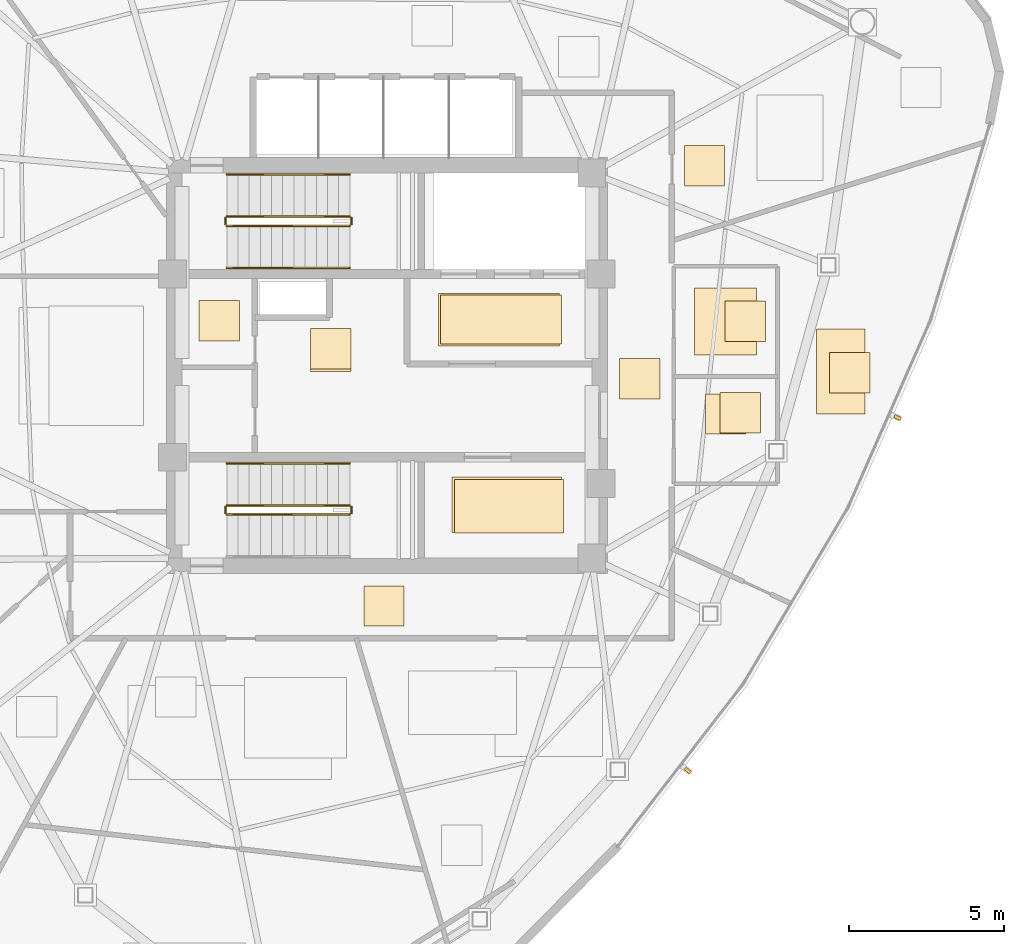
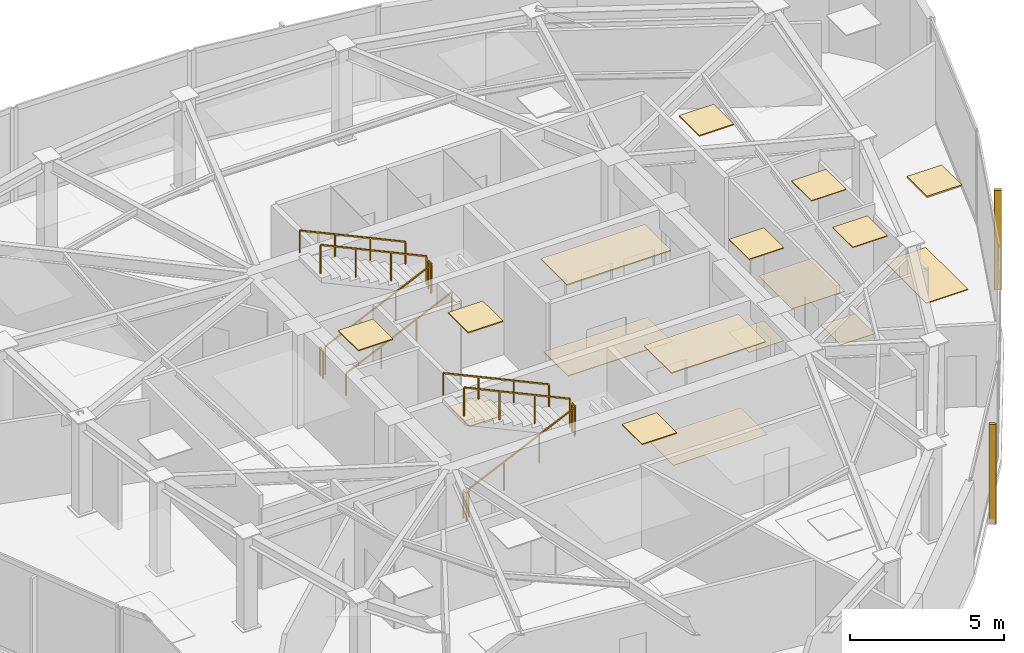
# One storey, part 11 of 12: 17 coverings, 11 railings, 2 shading devices.
"""IFC4 building model written with IfcOpenShell, lengths in metres."""

import ifcopenshell
import ifcopenshell.guid

model = None  # the IFC model being written
_history = None  # IfcOwnerHistory: only IFC2X3 demands one
_inside = {}  # id of a spatial element -> (the spatial element, [elements in it])
_under = {}  # id of a project, library or spatial element -> (it, [spatial elements below it])
_declared = {}  # id of a project -> (the project, [libraries it declares])
_typed = {}  # id of a type object -> (the type object, [elements of that type])
_made_of = {}  # id of a material, layer set ... -> (it, [elements and type objects made of it])


def new_model(schema):
    """Start an empty IFC model of exactly this schema.

    Asked for "IFC4X3", IfcOpenShell would pick the latest addendum, in which some entities
    have other attributes; the version numbers below select the first issue.
    IFC2X3 requires an IfcOwnerHistory on every rooted entity: one is made here for all.
    """
    global model, _history
    if schema == "IFC4X3":
        model = ifcopenshell.file(schema_version=(4, 3, 0, 0))
    else:
        model = ifcopenshell.file(schema=schema)
    _inside.clear()
    _under.clear()
    _declared.clear()
    _typed.clear()
    _made_of.clear()
    _history = None
    if model.schema == "IFC2X3":
        org = make("IfcOrganization", Name="unknown")
        user = make(
            "IfcPersonAndOrganization",
            ThePerson=make("IfcPerson", FamilyName="unknown"),
            TheOrganization=org,
        )
        app = make(
            "IfcApplication",
            ApplicationDeveloper=org,
            Version="unknown",
            ApplicationFullName="unknown",
            ApplicationIdentifier="unknown",
        )
        _history = make(
            "IfcOwnerHistory",
            OwningUser=user,
            OwningApplication=app,
            ChangeAction="ADDED",
            CreationDate=0,
        )
    return model


def make(cls, **values):
    """One entity of the class cls with the attributes given. An attribute that is None is left unset."""
    return model.create_entity(
        cls, **{name: value for name, value in values.items() if value is not None}
    )


def rooted(cls, **values):
    """An entity with a GlobalId (a new one), such as an element, a storey or a relation."""
    return make(cls, GlobalId=ifcopenshell.guid.new(), OwnerHistory=_history, **values)


def si_unit(unit_type, name, prefix=None):
    """IfcSIUnit, for example si_unit("LENGTHUNIT", "METRE", prefix="MILLI")."""
    return make("IfcSIUnit", UnitType=unit_type, Prefix=prefix, Name=name)


def assignment(units):
    """IfcUnitAssignment: the units of a project."""
    return None if units is None else make("IfcUnitAssignment", Units=units)


def point(xyz):
    """IfcCartesianPoint."""
    return None if xyz is None else make("IfcCartesianPoint", Coordinates=xyz)


def direction(xyz):
    """IfcDirection."""
    return None if xyz is None else make("IfcDirection", DirectionRatios=xyz)


def frame(location, z_axis=None, x_axis=None):
    """IfcAxis2Placement3D, a coordinate frame: its origin and axes. An axis left out is left unset."""
    return make(
        "IfcAxis2Placement3D",
        Location=point(location),
        Axis=direction(z_axis),
        RefDirection=direction(x_axis),
    )


def frame_2d(location, x_axis=None):
    """IfcAxis2Placement2D, a coordinate frame in the plane: its origin and x axis."""
    return make(
        "IfcAxis2Placement2D", Location=point(location), RefDirection=direction(x_axis)
    )


def origin():
    """The frame at (0, 0, 0) with its axes left unset."""
    return frame((0.0, 0.0, 0.0))


def origin_2d():
    """The frame at (0, 0) in the plane with its x axis left unset."""
    return frame_2d((0.0, 0.0))


def place(relative_to, where):
    """IfcLocalPlacement: puts the frame where relative to a parent placement (None: the world)."""
    return make(
        "IfcLocalPlacement", PlacementRelTo=relative_to, RelativePlacement=where
    )


def context(
    kind, dimensions, precision=None, world=None, true_north=None, identifier=None
):
    """IfcGeometricRepresentationContext, for example the 3D "Model" context."""
    return make(
        "IfcGeometricRepresentationContext",
        ContextIdentifier=identifier,
        ContextType=kind,
        CoordinateSpaceDimension=dimensions,
        Precision=precision,
        WorldCoordinateSystem=world,
        TrueNorth=true_north,
    )


def subcontext(parent, identifier, kind, view, scale=None):
    """IfcGeometricRepresentationSubContext, for example "Body" below "Model"."""
    return make(
        "IfcGeometricRepresentationSubContext",
        ContextIdentifier=identifier,
        ContextType=kind,
        ParentContext=parent,
        TargetScale=scale,
        TargetView=view,
    )


def project(units=None, contexts=None):
    """IfcProject with its units and contexts."""
    return rooted(
        "IfcProject",
        Name="project",
        RepresentationContexts=contexts,
        UnitsInContext=assignment(units),
    )


def spatial(cls, under=None, at=None, **own):
    """A site, building, storey or space (cls), placed at a placement, below another one or the project."""
    s = rooted(cls, ObjectPlacement=at, **own)
    if under is not None:
        _under.setdefault(under.id(), (under, []))[1].append(s)
    return s


def polyline(points):
    """IfcPolyline through the points."""
    return make("IfcPolyline", Points=[point(p) for p in points])


def profile(cls, at=None, kind="AREA", **sizes):
    """A parametric profile (cls). Its sizes go by their IFC names, for example OverallWidth=200.0."""
    return make(cls, ProfileType=kind, Position=at, **sizes)


def rectangle(**sizes):
    """IfcRectangleProfileDef."""
    return profile("IfcRectangleProfileDef", **sizes)


def outline(outer, holes=None, kind="AREA"):
    """IfcArbitraryClosedProfileDef: a profile drawn as a closed curve; with holes, ...WithVoids."""
    if holes is None:
        return make("IfcArbitraryClosedProfileDef", ProfileType=kind, OuterCurve=outer)
    return make(
        "IfcArbitraryProfileDefWithVoids",
        ProfileType=kind,
        OuterCurve=outer,
        InnerCurves=holes,
    )


def extrude(swept, where, along, depth):
    """IfcExtrudedAreaSolid: the profile swept, set in the frame where, extruded along a direction by depth."""
    return make(
        "IfcExtrudedAreaSolid",
        SweptArea=swept,
        Position=where,
        ExtrudedDirection=direction(along),
        Depth=depth,
    )


def shape(context_of_items, identifier, shape_type, items):
    """IfcShapeRepresentation: the items that make up one representation, for example the "Body"."""
    return make(
        "IfcShapeRepresentation",
        ContextOfItems=context_of_items,
        RepresentationIdentifier=identifier,
        RepresentationType=shape_type,
        Items=items,
    )


def source(mapping_origin, context_of_items, identifier, shape_type, items):
    """IfcRepresentationMap: a shape defined once, which mapped items show again and again."""
    return make(
        "IfcRepresentationMap",
        MappingOrigin=mapping_origin,
        MappedRepresentation=shape(context_of_items, identifier, shape_type, items),
    )


def transform(
    local_origin,
    x_axis=None,
    y_axis=None,
    z_axis=None,
    scale=None,
    scale2=None,
    scale3=None,
    uniform=True,
):
    """IfcCartesianTransformationOperator3D, or its non-uniform kind. x_axis, y_axis, z_axis: its Axis1, 2, 3."""
    if uniform:
        return make(
            "IfcCartesianTransformationOperator3D",
            Axis1=direction(x_axis),
            Axis2=direction(y_axis),
            LocalOrigin=point(local_origin),
            Scale=scale,
            Axis3=direction(z_axis),
        )
    return make(
        "IfcCartesianTransformationOperator3DnonUniform",
        Axis1=direction(x_axis),
        Axis2=direction(y_axis),
        LocalOrigin=point(local_origin),
        Scale=scale,
        Axis3=direction(z_axis),
        Scale2=scale2,
        Scale3=scale3,
    )


def mapped(mapping_source, mapping_target):
    """IfcMappedItem: shows the shape of a source again, moved by a transform."""
    return make(
        "IfcMappedItem", MappingSource=mapping_source, MappingTarget=mapping_target
    )


def material(Name=None, Category=None):
    """IfcMaterial."""
    return make("IfcMaterial", Name=Name, Category=Category)


def layer(
    of_material, thickness, ventilated=None, Name=None, Category=None, Priority=None
):
    """IfcMaterialLayer: one layer of a wall or slab, of a material (None: an air gap)."""
    return make(
        "IfcMaterialLayer",
        Material=of_material,
        LayerThickness=thickness,
        IsVentilated=ventilated,
        Name=Name,
        Category=Category,
        Priority=Priority,
    )


def layer_set(layers, Name=None):
    """IfcMaterialLayerSet."""
    return make("IfcMaterialLayerSet", MaterialLayers=layers, LayerSetName=Name)


def made_of(thing, what):
    """Note that an element or type object is made of a material, layer set ...; save() writes the relation."""
    if what is not None:
        _made_of.setdefault(what.id(), (what, []))[1].append(thing)
    return thing


def type_object(cls, material=None, **own):
    """A type object (cls), such as IfcWallType, which elements share."""
    return made_of(rooted(cls, **own), material)


def type_shapes(of_type, sources):
    """Give a type object the sources (RepresentationMaps) that its elements show as mapped items."""
    of_type.RepresentationMaps = sources


def element(
    cls,
    number,
    at=None,
    inside=None,
    cuts=None,
    type_object=None,
    material=None,
    context=None,
    identifier="Body",
    shape_type=None,
    held_by="IfcProductDefinitionShape",
    body=None,
    shapes=None,
    **own,
):
    """One element of the class cls, such as IfcWall. Its Tag is "e" and its number.

    at: its placement. inside: the storey or other place that contains it. cuts: it is an
    opening in that element (IfcRelVoidsElement). A single representation is given by context,
    identifier, shape_type and body (its items); several are given by shapes. held_by: the class
    of the entity that holds the representations. save() writes the other relations.
    """
    e = rooted(cls, Tag="e%d" % number, ObjectPlacement=at, **own)
    if body is not None:
        shapes = [shape(context, identifier, shape_type, body)]
    if shapes is not None:
        e.Representation = make(held_by, Representations=shapes)
    if inside is not None:
        _inside.setdefault(inside.id(), (inside, []))[1].append(e)
    if cuts is not None:
        rooted(
            "IfcRelVoidsElement", RelatingBuildingElement=cuts, RelatedOpeningElement=e
        )
    if type_object is not None:
        _typed.setdefault(type_object.id(), (type_object, []))[1].append(e)
    return made_of(e, material)


def aggregate(whole, parts):
    """IfcRelAggregates: a whole, such as a stair, and the parts it consists of."""
    return rooted("IfcRelAggregates", RelatingObject=whole, RelatedObjects=parts)


def save(model, path):
    """Write the relations noted so far, then the file.

    IfcRelAggregates (storeys below a building ...), IfcRelContainedInSpatialStructure (elements
    in a storey), IfcRelDefinesByType, IfcRelAssociatesMaterial and IfcRelDeclares: one each for
    every whole, place, type object, material and project.
    """
    for whole, parts in _under.values():
        aggregate(whole, parts)
    for where, things in _inside.values():
        rooted(
            "IfcRelContainedInSpatialStructure",
            RelatedElements=things,
            RelatingStructure=where,
        )
    for kind, things in _typed.values():
        rooted("IfcRelDefinesByType", RelatedObjects=things, RelatingType=kind)
    for what, things in _made_of.values():
        rooted("IfcRelAssociatesMaterial", RelatedObjects=things, RelatingMaterial=what)
    for by, libraries in _declared.values():
        rooted("IfcRelDeclares", RelatingContext=by, RelatedDefinitions=libraries)
    model.write(path)


model = new_model("IFC4")

# Units and contexts
model_context = context("Model", 3, precision=1e-05, world=origin(), true_north=direction((0.0, 1.0)))
body_context = subcontext(model_context, "Body", "Model", "MODEL_VIEW")
ifc_project = project(units=[si_unit("LENGTHUNIT", "METRE"), si_unit("AREAUNIT", "SQUARE_METRE"), si_unit("VOLUMEUNIT", "CUBIC_METRE"), si_unit("PLANEANGLEUNIT", "RADIAN"), si_unit("MASSUNIT", "GRAM", prefix="KILO")], contexts=[model_context])

# Site, building, storey
site_placement = place(None, origin())
site = spatial("IfcSite", under=ifc_project, at=site_placement, CompositionType="ELEMENT")
building_placement = place(site_placement, origin())
building = spatial("IfcBuilding", under=site, at=building_placement, Name="Tavelor Broadcast Tower", CompositionType="ELEMENT")
storey_placement = place(building_placement, frame((0.0, 0.0, 277.5)))
storey = spatial("IfcBuildingStorey", under=building, at=storey_placement, Name="L66", CompositionType="ELEMENT", Elevation=277.5)

# Coverings
ifc_material_1 = material(Name="Copper-Bronze Anodized Aluminium", Category="aluminium")
ifc_layer_1 = layer(ifc_material_1, 0.044921875)
ifc_layer_set_1 = layer_set([ifc_layer_1], Name="Copper-Bronze Anodized Aluminium")
covering_type_1 = type_object("IfcCoveringType", Name="Anodised Bronze Linear Slatted Concourse Ceiling 45 mm", PredefinedType="CEILING", material=ifc_layer_set_1)
covering_1_placement = place(storey_placement, frame((0.0, 0.0, 3.655029296875)))
element("IfcCovering", 1, at=covering_1_placement, inside=storey, type_object=covering_type_1, Name="L66 Suspended Acoustic Ceiling 2538", PredefinedType="CEILING", context=body_context, shape_type="SweptSolid", body=[
    extrude(outline(polyline([(51.659912109375, 45.6318359375), (55.55712890625, 45.6318359375), (55.55712890625, 47.328125), (51.659912109375, 47.328125), (51.659912109375, 45.6318359375)])), origin(), (0.0, 0.0, 1.0), 0.044921875),
])
covering_2_placement = place(storey_placement, frame((0.0, 0.0, 3.655029296875)))
element("IfcCovering", 2, at=covering_2_placement, inside=storey, type_object=covering_type_1, Name="L66 Suspended Acoustic Ceiling 2540", PredefinedType="CEILING", context=body_context, shape_type="SweptSolid", body=[
    extrude(outline(polyline([(47.5400390625, 44.89794921875), (48.840087890625, 44.89794921875), (48.840087890625, 46.197998046875), (47.5400390625, 46.197998046875), (47.5400390625, 44.89794921875)])), origin(), (0.0, 0.0, 1.0), 0.044921875),
])

# Railings
ifc_material_2 = material(Name="Steel S355", Category="steel")
railing_type_1 = type_object("IfcRailingType", Name="Continuous Brushed Stainless Handrail 900 mm", PredefinedType="HANDRAIL", material=ifc_material_2)
railing_1_placement = place(storey_placement, frame((44.85009765625, 48.14990234375, 0.166748046875)))
element("IfcRailing", 3, at=railing_1_placement, inside=storey, type_object=railing_type_1, Name="L66 ST1 stair handrail 1", PredefinedType="HANDRAIL", context=body_context, shape_type="SweptSolid", body=[
    extrude(rectangle(XDim=0.048095703125, YDim=0.048095703125, at=origin_2d()), frame((0.0, 0.0, 0.8759765625), z_axis=(0.907472437036, 0.0, 0.420111623286), x_axis=(0.0, 1.0, 0.0)), (0.0, 0.0, 1.0), 4.36376953125),
    extrude(rectangle(XDim=0.0419921875, YDim=0.0419921875, at=origin_2d()), origin(), (0.0, 0.0, 1.0), 0.851806640625),
    extrude(rectangle(XDim=0.0419921875, YDim=0.0419921875, at=origin_2d()), frame((1.320068359375, 0.0, 0.611083984375)), (0.0, 0.0, 1.0), 0.851806640625),
    extrude(rectangle(XDim=0.0419921875, YDim=0.0419921875, at=origin_2d()), frame((2.639892578125, 0.0, 1.22216796875)), (0.0, 0.0, 1.0), 0.851806640625),
    extrude(rectangle(XDim=0.0419921875, YDim=0.0419921875, at=origin_2d()), frame((3.9599609375, 0.0, 1.833251953125)), (0.0, 0.0, 1.0), 0.851806640625),
])
for number, where, name in (
    (4, (48.81005859375, 51.14990234375, 2.166748046875), "L66 ST1 stair handrail 2"),
    (5, (48.81005859375, 41.85009765625, 2.166748046875), "L66 ST2 stair handrail 2"),
):
    element("IfcRailing", number, at=place(storey_placement, frame(where)), inside=storey, type_object=railing_type_1, Name=name, PredefinedType="HANDRAIL", context=body_context, shape_type="SweptSolid", body=[
        extrude(rectangle(XDim=0.048095703125, YDim=0.048095703125, at=origin_2d()), frame((0.0, 0.0, 0.8759765625), z_axis=(-0.907472437036, 0.0, 0.420111623286), x_axis=(0.0, -1.0, 0.0)), (0.0, 0.0, 1.0), 4.36376953125),
        extrude(rectangle(XDim=0.0419921875, YDim=0.0419921875, at=origin_2d()), origin(), (0.0, 0.0, 1.0), 0.851806640625),
        extrude(rectangle(XDim=0.0419921875, YDim=0.0419921875, at=origin_2d()), frame((-1.320068359375, 0.0, 0.611083984375)), (0.0, 0.0, 1.0), 0.851806640625),
        extrude(rectangle(XDim=0.0419921875, YDim=0.0419921875, at=origin_2d()), frame((-2.639892578125, 0.0, 1.22216796875)), (0.0, 0.0, 1.0), 0.851806640625),
        extrude(rectangle(XDim=0.0419921875, YDim=0.0419921875, at=origin_2d()), frame((-3.9599609375, 0.0, 1.833251953125)), (0.0, 0.0, 1.0), 0.851806640625),
    ])

# Coverings
ifc_material_3 = material(Name="Architectural Anodized Aluminium", Category="aluminium")
ifc_layer_2 = layer(ifc_material_3, 0.034912109375)
ifc_layer_set_2 = layer_set([ifc_layer_2], Name="Architectural Anodized Aluminium")
covering_type_2 = type_object("IfcCoveringType", Name="Demountable Metal Tile Corridor Ceiling 35 mm", PredefinedType="CEILING", material=ifc_layer_set_2)
covering_3_placement = place(storey_placement, frame((0.0, 0.0, 3.6650390625)))
element("IfcCovering", 6, at=covering_3_placement, inside=storey, type_object=covering_type_2, Name="L66 Suspended Acoustic Ceiling 2542", PredefinedType="CEILING", context=body_context, shape_type="SweptSolid", body=[
    extrude(outline(polyline([(57.489990234375, 43.925048828125), (58.7900390625, 43.925048828125), (58.7900390625, 45.22509765625), (57.489990234375, 45.22509765625), (57.489990234375, 43.925048828125)])), origin(), (0.0, 0.0, 1.0), 0.034912109375),
])
covering_4_placement = place(storey_placement, frame((0.0, 0.0, 3.6650390625)))
element("IfcCovering", 7, at=covering_4_placement, inside=storey, type_object=covering_type_2, Name="L66 Suspended Acoustic Ceiling 2543", PredefinedType="CEILING", context=body_context, shape_type="SweptSolid", body=[
    extrude(outline(polyline([(49.261474609375, 36.610107421875), (50.5615234375, 36.610107421875), (50.5615234375, 37.909912109375), (49.261474609375, 37.909912109375), (49.261474609375, 36.610107421875)])), origin(), (0.0, 0.0, 1.0), 0.034912109375),
])
ifc_material_4 = material(Name="Acoustic Nylon Carpet Tile")
ifc_layer_3 = layer(ifc_material_4, 0.02001953125)
ifc_layer_set_3 = layer_set([ifc_layer_3], Name="Acoustic Nylon Carpet Tile")
covering_type_3 = type_object("IfcCoveringType", Name="Heavy-Duty Acoustic Broadcast Carpet Tile 20 mm", PredefinedType="FLOORING", material=ifc_layer_set_3)
covering_5_placement = place(storey_placement, origin())
element("IfcCovering", 8, at=covering_5_placement, inside=storey, type_object=covering_type_3, Name="L66 Broadcast Floor Finish 0982", PredefinedType="FLOORING", context=body_context, shape_type="SweptSolid", body=[
    extrude(outline(polyline([(52.176025390625, 39.611328125), (55.694091796875, 39.611328125), (55.694091796875, 41.341552734375), (52.176025390625, 41.341552734375), (52.176025390625, 39.611328125)])), origin(), (0.0, 0.0, 1.0), 0.02001953125),
])
covering_6_placement = place(storey_placement, origin())
element("IfcCovering", 9, at=covering_6_placement, inside=storey, type_object=covering_type_3, Name="L66 Broadcast Floor Finish 0984", PredefinedType="FLOORING", context=body_context, shape_type="SweptSolid", body=[
    extrude(outline(polyline([(57.489990234375, 43.925048828125), (58.7900390625, 43.925048828125), (58.7900390625, 45.22509765625), (57.489990234375, 45.22509765625), (57.489990234375, 43.925048828125)])), origin(), (0.0, 0.0, 1.0), 0.02001953125),
])
ifc_material_5 = material(Name="Honed Natural Limestone Tile", Category="masonry")
ifc_layer_4 = layer(ifc_material_5, 0.030029296875)
ifc_layer_set_4 = layer_set([ifc_layer_4], Name="Honed Natural Limestone Tile")
covering_type_4 = type_object("IfcCoveringType", Name="Honed Jerusalem Limestone Concourse Flooring 30 mm", PredefinedType="FLOORING", material=ifc_layer_set_4)
covering_7_placement = place(storey_placement, origin())
element("IfcCovering", 10, at=covering_7_placement, inside=storey, type_object=covering_type_4, Name="L66 Broadcast Floor Finish 0981", PredefinedType="FLOORING", context=body_context, shape_type="SweptSolid", body=[
    extrude(outline(polyline([(51.7373046875, 45.689453125), (55.62255859375, 45.689453125), (55.62255859375, 47.2705078125), (51.7373046875, 47.2705078125), (51.7373046875, 45.689453125)])), origin(), (0.0, 0.0, 1.0), 0.030029296875),
])
covering_8_placement = place(storey_placement, origin())
element("IfcCovering", 11, at=covering_8_placement, inside=storey, type_object=covering_type_4, Name="L66 Broadcast Floor Finish 0983", PredefinedType="FLOORING", context=body_context, shape_type="SweptSolid", body=[
    extrude(outline(polyline([(47.5400390625, 44.818115234375), (48.840087890625, 44.818115234375), (48.840087890625, 46.117919921875), (47.5400390625, 46.117919921875), (47.5400390625, 44.818115234375)])), origin(), (0.0, 0.0, 1.0), 0.030029296875),
])
ifc_material_6 = material(Name="Acoustic Hardwood Studio Flooring", Category="wood")
ifc_layer_5 = layer(ifc_material_6, 0.034912109375)
ifc_layer_set_5 = layer_set([ifc_layer_5], Name="Acoustic Hardwood Studio Flooring")
covering_type_5 = type_object("IfcCoveringType", Name="Isolated Studio Acoustic Elastomeric Floor Finish 35 mm", PredefinedType="FLOORING", material=ifc_layer_set_5)
covering_9_placement = place(storey_placement, origin())
element("IfcCovering", 12, at=covering_9_placement, inside=storey, type_object=covering_type_5, Name="L66 Broadcast Floor Finish 0988", PredefinedType="FLOORING", context=body_context, shape_type="SweptSolid", body=[
    extrude(outline(polyline([(63.838134765625, 43.44580078125), (65.395751953125, 43.44580078125), (65.395751953125, 46.173095703125), (63.838134765625, 46.173095703125), (63.838134765625, 43.44580078125)])), origin(), (0.0, 0.0, 1.0), 0.034912109375),
])
ifc_material_7 = material(Name="Acoustic Perforated Timber Baffle", Category="wood")
ifc_layer_6 = layer(ifc_material_7, 0.054931640625)
ifc_layer_set_6 = layer_set([ifc_layer_6], Name="Acoustic Perforated Timber Baffle")
covering_type_6 = type_object("IfcCoveringType", Name="Micro-Perforated Acoustic Baffle Studio Ceiling 55 mm", PredefinedType="CEILING", material=ifc_layer_set_6)
covering_10_placement = place(storey_placement, frame((0.0, 0.0, 3.64501953125)))
element("IfcCovering", 13, at=covering_10_placement, inside=storey, type_object=covering_type_6, Name="L66 Suspended Acoustic Ceiling 2547", PredefinedType="CEILING", context=body_context, shape_type="SweptSolid", body=[
    extrude(outline(polyline([(64.25830078125, 44.11767578125), (65.558349609375, 44.11767578125), (65.558349609375, 45.41748046875), (64.25830078125, 45.41748046875), (64.25830078125, 44.11767578125)])), origin(), (0.0, 0.0, 1.0), 0.054931640625),
])
ifc_layer_7 = layer(ifc_material_3, 0.030029296875)
ifc_layer_set_7 = layer_set([ifc_layer_7], Name="Architectural Anodized Aluminium")
covering_type_7 = type_object("IfcCoveringType", Name="Moisture-Resistant Washroom Ceiling 30 mm", PredefinedType="CEILING", material=ifc_layer_set_7)
covering_11_placement = place(storey_placement, frame((0.0, 0.0, 3.669921875)))
element("IfcCovering", 14, at=covering_11_placement, inside=storey, type_object=covering_type_7, Name="L66 Suspended Acoustic Ceiling 2545", PredefinedType="CEILING", context=body_context, shape_type="SweptSolid", body=[
    extrude(outline(polyline([(60.73388671875, 42.831787109375), (62.03369140625, 42.831787109375), (62.03369140625, 44.131591796875), (60.73388671875, 44.131591796875), (60.73388671875, 42.831787109375)])), origin(), (0.0, 0.0, 1.0), 0.030029296875),
])
covering_12_placement = place(storey_placement, frame((0.0, 0.0, 3.669921875)))
element("IfcCovering", 15, at=covering_12_placement, inside=storey, type_object=covering_type_7, Name="L66 Suspended Acoustic Ceiling 2546", PredefinedType="CEILING", context=body_context, shape_type="SweptSolid", body=[
    extrude(outline(polyline([(60.8916015625, 45.77490234375), (62.19140625, 45.77490234375), (62.19140625, 47.074951171875), (60.8916015625, 47.074951171875), (60.8916015625, 45.77490234375)])), origin(), (0.0, 0.0, 1.0), 0.030029296875),
])
ifc_material_8 = material(Name="Slip-Resistant Porcelain Tile")
ifc_layer_8 = layer(ifc_material_8, 0.02490234375)
ifc_layer_set_8 = layer_set([ifc_layer_8], Name="Slip-Resistant Porcelain Tile")
covering_type_8 = type_object("IfcCoveringType", Name="Slip-Resistant Porcelain Wet-Area Floor Tile 25 mm", PredefinedType="FLOORING", material=ifc_layer_set_8)
covering_13_placement = place(storey_placement, origin())
element("IfcCovering", 16, at=covering_13_placement, inside=storey, type_object=covering_type_8, Name="L66 Broadcast Floor Finish 0986", PredefinedType="FLOORING", context=body_context, shape_type="SweptSolid", body=[
    extrude(outline(polyline([(60.260009765625, 42.791748046875), (61.56005859375, 42.791748046875), (61.56005859375, 44.091796875), (60.260009765625, 44.091796875), (60.260009765625, 42.791748046875)])), origin(), (0.0, 0.0, 1.0), 0.02490234375),
])
covering_14_placement = place(storey_placement, origin())
element("IfcCovering", 17, at=covering_14_placement, inside=storey, type_object=covering_type_8, Name="L66 Broadcast Floor Finish 0987", PredefinedType="FLOORING", context=body_context, shape_type="SweptSolid", body=[
    extrude(outline(polyline([(59.91064453125, 45.35009765625), (61.909423828125, 45.35009765625), (61.909423828125, 47.5), (59.91064453125, 47.5), (59.91064453125, 45.35009765625)])), origin(), (0.0, 0.0, 1.0), 0.02490234375),
])

# Railings
railing_type_2 = type_object("IfcRailingType", Name="Stairwell Steel Safety Guardrail 1150 mm", PredefinedType="GUARDRAIL", material=ifc_material_2)
railing_2_placement = place(storey_placement, frame((44.85009765625, 49.5, 0.166748046875)))
element("IfcRailing", 18, at=railing_2_placement, inside=storey, type_object=railing_type_2, Name="L66 ST1 stair guard 1", PredefinedType="GUARDRAIL", context=body_context, shape_type="SweptSolid", body=[
    extrude(rectangle(XDim=0.048095703125, YDim=0.048095703125, at=origin_2d()), frame((0.0, 0.0, 1.1259765625), z_axis=(0.907472437036, 0.0, 0.420111623286), x_axis=(0.0, 1.0, 0.0)), (0.0, 0.0, 1.0), 4.36376953125),
    extrude(rectangle(XDim=0.0419921875, YDim=0.0419921875, at=origin_2d()), origin(), (0.0, 0.0, 1.0), 1.101806640625),
    extrude(rectangle(XDim=0.0419921875, YDim=0.0419921875, at=origin_2d()), frame((1.320068359375, 0.0, 0.611083984375)), (0.0, 0.0, 1.0), 1.101806640625),
    extrude(rectangle(XDim=0.0419921875, YDim=0.0419921875, at=origin_2d()), frame((2.639892578125, 0.0, 1.22216796875)), (0.0, 0.0, 1.0), 1.101806640625),
    extrude(rectangle(XDim=0.0419921875, YDim=0.0419921875, at=origin_2d()), frame((3.9599609375, 0.0, 1.833251953125)), (0.0, 0.0, 1.0), 1.101806640625),
])
railing_3_placement = place(storey_placement, frame((48.860107421875, 49.550048828125, 2.0)))
element("IfcRailing", 19, at=railing_3_placement, inside=storey, type_object=railing_type_2, Name="L66 ST1 stair guard 2", PredefinedType="GUARDRAIL", context=body_context, shape_type="SweptSolid", body=[
    extrude(rectangle(XDim=0.048095703125, YDim=0.048095703125, at=origin_2d()), frame((0.0, 0.0, 1.1259765625), z_axis=(0.0, 1.0, 0.0), x_axis=(-1.0, 0.0, 0.0)), (0.0, 0.0, 1.0), 0.199951171875),
    extrude(rectangle(XDim=0.0419921875, YDim=0.0419921875, at=origin_2d()), origin(), (0.0, 0.0, 1.0), 1.101806640625),
    extrude(rectangle(XDim=0.0419921875, YDim=0.0419921875, at=origin_2d()), frame((0.0, 0.199951171875, 0.0)), (0.0, 0.0, 1.0), 1.101806640625),
])
railing_4_placement = place(storey_placement, frame((48.81005859375, 49.800048828125, 2.166748046875)))
element("IfcRailing", 20, at=railing_4_placement, inside=storey, type_object=railing_type_2, Name="L66 ST1 stair guard 3", PredefinedType="GUARDRAIL", context=body_context, shape_type="SweptSolid", body=[
    extrude(rectangle(XDim=0.048095703125, YDim=0.048095703125, at=origin_2d()), frame((0.0, 0.0, 1.1259765625), z_axis=(-0.907472437036, 0.0, 0.420111623286), x_axis=(0.0, -1.0, 0.0)), (0.0, 0.0, 1.0), 4.36376953125),
    extrude(rectangle(XDim=0.0419921875, YDim=0.0419921875, at=origin_2d()), origin(), (0.0, 0.0, 1.0), 1.101806640625),
    extrude(rectangle(XDim=0.0419921875, YDim=0.0419921875, at=origin_2d()), frame((-1.320068359375, 0.0, 0.611083984375)), (0.0, 0.0, 1.0), 1.101806640625),
    extrude(rectangle(XDim=0.0419921875, YDim=0.0419921875, at=origin_2d()), frame((-2.639892578125, 0.0, 1.22216796875)), (0.0, 0.0, 1.0), 1.101806640625),
    extrude(rectangle(XDim=0.0419921875, YDim=0.0419921875, at=origin_2d()), frame((-3.9599609375, 0.0, 1.833251953125)), (0.0, 0.0, 1.0), 1.101806640625),
])
railing_5_placement = place(storey_placement, frame((44.800048828125, 49.550048828125, 0.0)))
element("IfcRailing", 21, at=railing_5_placement, inside=storey, type_object=railing_type_2, Name="L66 ST1 stair guard 4", PredefinedType="GUARDRAIL", context=body_context, shape_type="SweptSolid", body=[
    extrude(rectangle(XDim=0.048095703125, YDim=0.048095703125, at=origin_2d()), frame((0.0, 0.0, 1.1259765625), z_axis=(0.0, 1.0, 0.0), x_axis=(-1.0, 0.0, 0.0)), (0.0, 0.0, 1.0), 0.199951171875),
    extrude(rectangle(XDim=0.0419921875, YDim=0.0419921875, at=origin_2d()), origin(), (0.0, 0.0, 1.0), 1.101806640625),
    extrude(rectangle(XDim=0.0419921875, YDim=0.0419921875, at=origin_2d()), frame((0.0, 0.199951171875, 0.0)), (0.0, 0.0, 1.0), 1.101806640625),
])
railing_6_placement = place(storey_placement, frame((44.85009765625, 40.199951171875, 0.166748046875)))
element("IfcRailing", 22, at=railing_6_placement, inside=storey, type_object=railing_type_2, Name="L66 ST2 stair guard 1", PredefinedType="GUARDRAIL", context=body_context, shape_type="SweptSolid", body=[
    extrude(rectangle(XDim=0.048095703125, YDim=0.048095703125, at=origin_2d()), frame((0.0, 0.0, 1.1259765625), z_axis=(0.907472437036, 0.0, 0.420111623286), x_axis=(0.0, 1.0, 0.0)), (0.0, 0.0, 1.0), 4.36376953125),
    extrude(rectangle(XDim=0.0419921875, YDim=0.0419921875, at=origin_2d()), origin(), (0.0, 0.0, 1.0), 1.101806640625),
    extrude(rectangle(XDim=0.0419921875, YDim=0.0419921875, at=origin_2d()), frame((1.320068359375, 0.0, 0.611083984375)), (0.0, 0.0, 1.0), 1.101806640625),
    extrude(rectangle(XDim=0.0419921875, YDim=0.0419921875, at=origin_2d()), frame((2.639892578125, 0.0, 1.22216796875)), (0.0, 0.0, 1.0), 1.101806640625),
    extrude(rectangle(XDim=0.0419921875, YDim=0.0419921875, at=origin_2d()), frame((3.9599609375, 0.0, 1.833251953125)), (0.0, 0.0, 1.0), 1.101806640625),
])
railing_7_placement = place(storey_placement, frame((48.860107421875, 40.25, 2.0)))
element("IfcRailing", 23, at=railing_7_placement, inside=storey, type_object=railing_type_2, Name="L66 ST2 stair guard 2", PredefinedType="GUARDRAIL", context=body_context, shape_type="SweptSolid", body=[
    extrude(rectangle(XDim=0.048095703125, YDim=0.048095703125, at=origin_2d()), frame((0.0, 0.0, 1.1259765625), z_axis=(0.0, 1.0, 0.0), x_axis=(-1.0, 0.0, 0.0)), (0.0, 0.0, 1.0), 0.199951171875),
    extrude(rectangle(XDim=0.0419921875, YDim=0.0419921875, at=origin_2d()), origin(), (0.0, 0.0, 1.0), 1.101806640625),
    extrude(rectangle(XDim=0.0419921875, YDim=0.0419921875, at=origin_2d()), frame((0.0, 0.199951171875, 0.0)), (0.0, 0.0, 1.0), 1.101806640625),
])
railing_8_placement = place(storey_placement, frame((48.81005859375, 40.5, 2.166748046875)))
element("IfcRailing", 24, at=railing_8_placement, inside=storey, type_object=railing_type_2, Name="L66 ST2 stair guard 3", PredefinedType="GUARDRAIL", context=body_context, shape_type="SweptSolid", body=[
    extrude(rectangle(XDim=0.048095703125, YDim=0.048095703125, at=origin_2d()), frame((0.0, 0.0, 1.1259765625), z_axis=(-0.907472437036, 0.0, 0.420111623286), x_axis=(0.0, -1.0, 0.0)), (0.0, 0.0, 1.0), 4.36376953125),
    extrude(rectangle(XDim=0.0419921875, YDim=0.0419921875, at=origin_2d()), origin(), (0.0, 0.0, 1.0), 1.101806640625),
    extrude(rectangle(XDim=0.0419921875, YDim=0.0419921875, at=origin_2d()), frame((-1.320068359375, 0.0, 0.611083984375)), (0.0, 0.0, 1.0), 1.101806640625),
    extrude(rectangle(XDim=0.0419921875, YDim=0.0419921875, at=origin_2d()), frame((-2.639892578125, 0.0, 1.22216796875)), (0.0, 0.0, 1.0), 1.101806640625),
    extrude(rectangle(XDim=0.0419921875, YDim=0.0419921875, at=origin_2d()), frame((-3.9599609375, 0.0, 1.833251953125)), (0.0, 0.0, 1.0), 1.101806640625),
])
railing_9_placement = place(storey_placement, frame((44.800048828125, 40.25, 0.0)))
element("IfcRailing", 25, at=railing_9_placement, inside=storey, type_object=railing_type_2, Name="L66 ST2 stair guard 4", PredefinedType="GUARDRAIL", context=body_context, shape_type="SweptSolid", body=[
    extrude(rectangle(XDim=0.048095703125, YDim=0.048095703125, at=origin_2d()), frame((0.0, 0.0, 1.1259765625), z_axis=(0.0, 1.0, 0.0), x_axis=(-1.0, 0.0, 0.0)), (0.0, 0.0, 1.0), 0.199951171875),
    extrude(rectangle(XDim=0.0419921875, YDim=0.0419921875, at=origin_2d()), origin(), (0.0, 0.0, 1.0), 1.101806640625),
    extrude(rectangle(XDim=0.0419921875, YDim=0.0419921875, at=origin_2d()), frame((0.0, 0.199951171875, 0.0)), (0.0, 0.0, 1.0), 1.101806640625),
])

# Coverings
ifc_material_9 = material(Name="Acoustic Mineral Fibre Tile")
ifc_layer_9 = layer(ifc_material_9, 0.0400390625)
ifc_layer_set_9 = layer_set([ifc_layer_9], Name="Acoustic Mineral Fibre Tile")
covering_type_9 = type_object("IfcCoveringType", Name="Suspended Acoustic Mineral-Fibre Office Ceiling 40 mm", PredefinedType="CEILING", material=ifc_layer_set_9)
covering_15_placement = place(storey_placement, frame((0.0, 0.0, 3.659912109375)))
element("IfcCovering", 26, at=covering_15_placement, inside=storey, type_object=covering_type_9, Name="L66 Suspended Acoustic Ceiling 2539", PredefinedType="CEILING", context=body_context, shape_type="SweptSolid", body=[
    extrude(outline(polyline([(52.098388671875, 39.62255859375), (55.628662109375, 39.62255859375), (55.628662109375, 41.410400390625), (52.098388671875, 41.410400390625), (52.098388671875, 39.62255859375)])), origin(), (0.0, 0.0, 1.0), 0.0400390625),
])
covering_16_placement = place(storey_placement, frame((0.0, 0.0, 3.659912109375)))
element("IfcCovering", 27, at=covering_16_placement, inside=storey, type_object=covering_type_9, Name="L66 Suspended Acoustic Ceiling 2541", PredefinedType="CEILING", context=body_context, shape_type="SweptSolid", body=[
    extrude(outline(polyline([(43.951416015625, 45.794921875), (45.25146484375, 45.794921875), (45.25146484375, 47.094970703125), (43.951416015625, 47.094970703125), (43.951416015625, 45.794921875)])), origin(), (0.0, 0.0, 1.0), 0.0400390625),
])
covering_17_placement = place(storey_placement, frame((0.0, 0.0, 3.659912109375)))
element("IfcCovering", 28, at=covering_17_placement, inside=storey, type_object=covering_type_9, Name="L66 Suspended Acoustic Ceiling 2561", PredefinedType="CEILING", context=body_context, shape_type="SweptSolid", body=[
    extrude(outline(polyline([(59.5791015625, 50.781494140625), (60.879150390625, 50.781494140625), (60.879150390625, 52.081298828125), (59.5791015625, 52.081298828125), (59.5791015625, 50.781494140625)])), origin(), (0.0, 0.0, 1.0), 0.0400390625),
])

# Shading devices
ifc_material_10 = material(Name="Kiln-Fired Glazed Terracotta", Category="masonry")
shading_device_type = type_object("IfcShadingDeviceType", Name="Extruded Terracotta Baguette Sun-Screen 110x240", PredefinedType="JALOUSIE", material=ifc_material_10)
shared_shape = source(origin(), body_context, "Body", "SweptSolid", [
    extrude(rectangle(XDim=0.110107421875, YDim=0.239990234375, at=origin_2d()), origin(), (0.0, 0.0, 1.0), 3.93994140625),
])
type_shapes(shading_device_type, [shared_shape])
for number, where, z_axis, x_axis, name in (
    (29, (59.6943359375, 31.961181640625, -0.260009765625), (0.0, 0.0, 1.0), (0.61125081382, 0.791436947965, 0.0), "L66 Terracotta Baguette Fin 669"),
    (30, (66.44970703125, 43.3271484375, -0.260009765625), (0.0, 0.0, 1.0), (0.403066169295, 0.915170838243, 0.0), "L66 Terracotta Baguette Fin 670"),
):
    element("IfcShadingDevice", number, at=place(storey_placement, frame(where, z_axis=z_axis, x_axis=x_axis)), inside=storey, type_object=shading_device_type, Name=name, PredefinedType="JALOUSIE", context=body_context, shape_type="MappedRepresentation", body=[
        mapped(shared_shape, transform((0.0, 0.0, 0.0), scale=1.0)),
    ])

save(model, "model.ifc")
